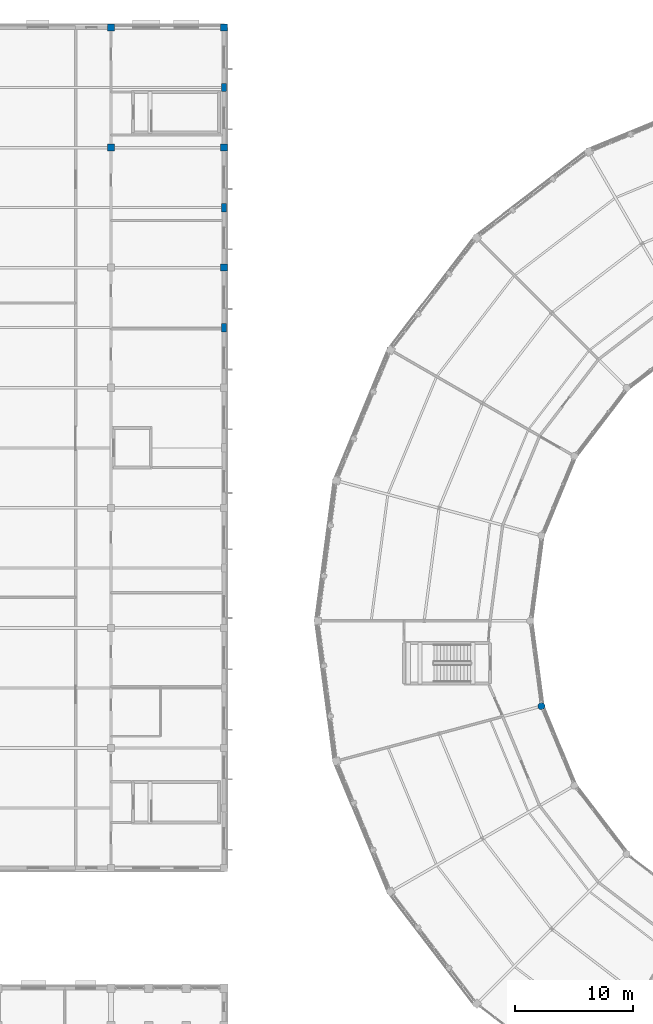
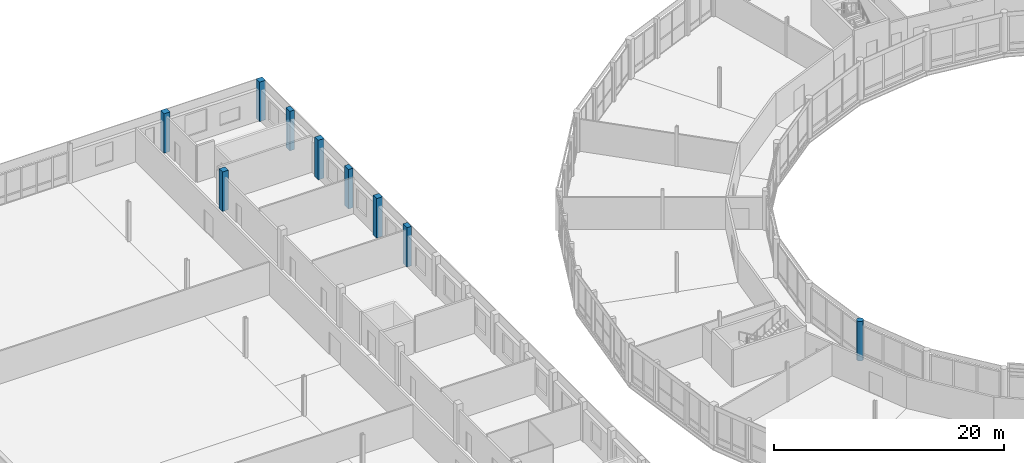
# One storey, part 9 of 185: 9 columns.
"""IFC4 building model written with IfcOpenShell, lengths in metres."""

from ifc_helpers import new_model, si_unit, direction, frame, origin, origin_2d, place, context, subcontext, project, spatial, rectangle, circle, extrude, material, material_profile, profile_set, type_object, element, save


model = new_model("IFC4")

# Units and contexts
model_context = context("Model", 3, precision=1e-05, world=origin(), true_north=direction((0.0, 1.0)))
body_context = subcontext(model_context, "Body", "Model", "MODEL_VIEW")
ifc_project = project(units=[si_unit("LENGTHUNIT", "METRE"), si_unit("AREAUNIT", "SQUARE_METRE"), si_unit("VOLUMEUNIT", "CUBIC_METRE"), si_unit("PLANEANGLEUNIT", "RADIAN"), si_unit("MASSUNIT", "GRAM", prefix="KILO")], contexts=[model_context])

# Site, building, storey
site_placement = place(None, origin())
site = spatial("IfcSite", under=ifc_project, at=site_placement, CompositionType="ELEMENT")
building_placement = place(site_placement, origin())
building = spatial("IfcBuilding", under=site, at=building_placement, Name="Vondelvale Polytechnic", CompositionType="ELEMENT")
storey_placement = place(building_placement, frame((0.0, 0.0, 9.60009765625)))
storey = spatial("IfcBuildingStorey", under=building, at=storey_placement, Name="L02", CompositionType="ELEMENT", Elevation=9.60009765625)

# Columns
ifc_material = material(Name="Concrete N50 (f'c = 50 MPa)", Category="concrete")
ifc_material_profile_1 = material_profile(ifc_material, rectangle(XDim=0.60009765625, YDim=0.60009765625, at=origin_2d()), Name="RC-COL-600x600")
ifc_profile_set_1 = profile_set([ifc_material_profile_1], Name="Concrete N50 (f'c = 50 MPa)")
column_type_1 = type_object("IfcColumnType", Name="COL-RC600", PredefinedType="COLUMN", material=ifc_profile_set_1)
for number, where, z_axis, x_axis, name in (
    (1, (48.0, 102.0, 0.0), (0.0, 0.0, 1.0), (1.0, 0.0, 0.0), "L02 workshop column (48.0,102.0)"),
    (2, (38.39990234375, 112.199951171875, 0.0), (0.0, 0.0, 1.0), (1.0, 0.0, 0.0), "L02 workshop column (38.4,112.2)"),
    (3, (48.0, 112.199951171875, 0.0), (0.0, 0.0, 1.0), (1.0, 0.0, 0.0), "L02 workshop column (48.0,112.2)"),
    (4, (38.39990234375, 122.39990234375, 0.0), (0.0, 0.0, 1.0), (1.0, 0.0, 0.0), "L02 workshop column (38.4,122.4)"),
    (5, (48.0, 122.39990234375, 0.0), (0.0, 0.0, 1.0), (1.0, 0.0, 0.0), "L02 workshop column (48.0,122.4)"),
):
    element("IfcColumn", number, at=place(storey_placement, frame(where, z_axis=z_axis, x_axis=x_axis)), inside=storey, type_object=column_type_1, Name=name, PredefinedType="COLUMN", context=body_context, shape_type="SweptSolid", body=[
        extrude(rectangle(XDim=0.60009765625, YDim=0.60009765625, at=origin_2d()), origin(), (0.0, 0.0, 1.0), 4.199951171875),
    ])
ifc_material_profile_2 = material_profile(ifc_material, circle(Radius=0.300048828125, at=origin_2d()), Name="RC-COL-D600")
ifc_profile_set_2 = profile_set([ifc_material_profile_2], Name="Concrete N50 (f'c = 50 MPa)")
column_type_2 = type_object("IfcColumnType", Name="COL-RCD600", PredefinedType="COLUMN", material=ifc_profile_set_2)
column_placement = place(storey_placement, frame((74.9541015625, 64.753173828125, 0.0), z_axis=(0.0, 0.0, 1.0), x_axis=(0.965925826289, 0.258819045103, 0.0)))
element("IfcColumn", 6, at=column_placement, inside=storey, type_object=column_type_2, Name="L02 courtyard ring column S13-RI", PredefinedType="COLUMN", context=body_context, shape_type="SweptSolid", body=[
    extrude(circle(Radius=0.300048828125, at=origin_2d()), origin(), (0.0, 0.0, 1.0), 4.199951171875),
])
ifc_material_profile_3 = material_profile(ifc_material, rectangle(XDim=0.449951171875, YDim=0.699951171875, at=origin_2d()), Name="RC-PIL-700x450")
ifc_profile_set_3 = profile_set([ifc_material_profile_3], Name="Concrete N50 (f'c = 50 MPa)")
column_type_3 = type_object("IfcColumnType", Name="PIL-RC700x450", PredefinedType="PILASTER", material=ifc_profile_set_3)
for number, where, z_axis, x_axis, name in (
    (7, (48.0, 96.89990234375, 0.0), (0.0, 0.0, 1.0), (1.0, 0.0, 0.0), "L02 East workshop brick pilaster 5"),
    (8, (48.0, 107.10009765625, 0.0), (0.0, 0.0, 1.0), (1.0, 0.0, 0.0), "L02 East workshop brick pilaster 6"),
    (9, (48.0, 117.300048828125, 0.0), (0.0, 0.0, 1.0), (1.0, 0.0, 0.0), "L02 East workshop brick pilaster 7"),
):
    element("IfcColumn", number, at=place(storey_placement, frame(where, z_axis=z_axis, x_axis=x_axis)), inside=storey, type_object=column_type_3, Name=name, PredefinedType="PILASTER", context=body_context, shape_type="SweptSolid", body=[
        extrude(rectangle(XDim=0.449951171875, YDim=0.699951171875, at=origin_2d()), origin(), (0.0, 0.0, 1.0), 4.199951171875),
    ])

save(model, "model.ifc")
